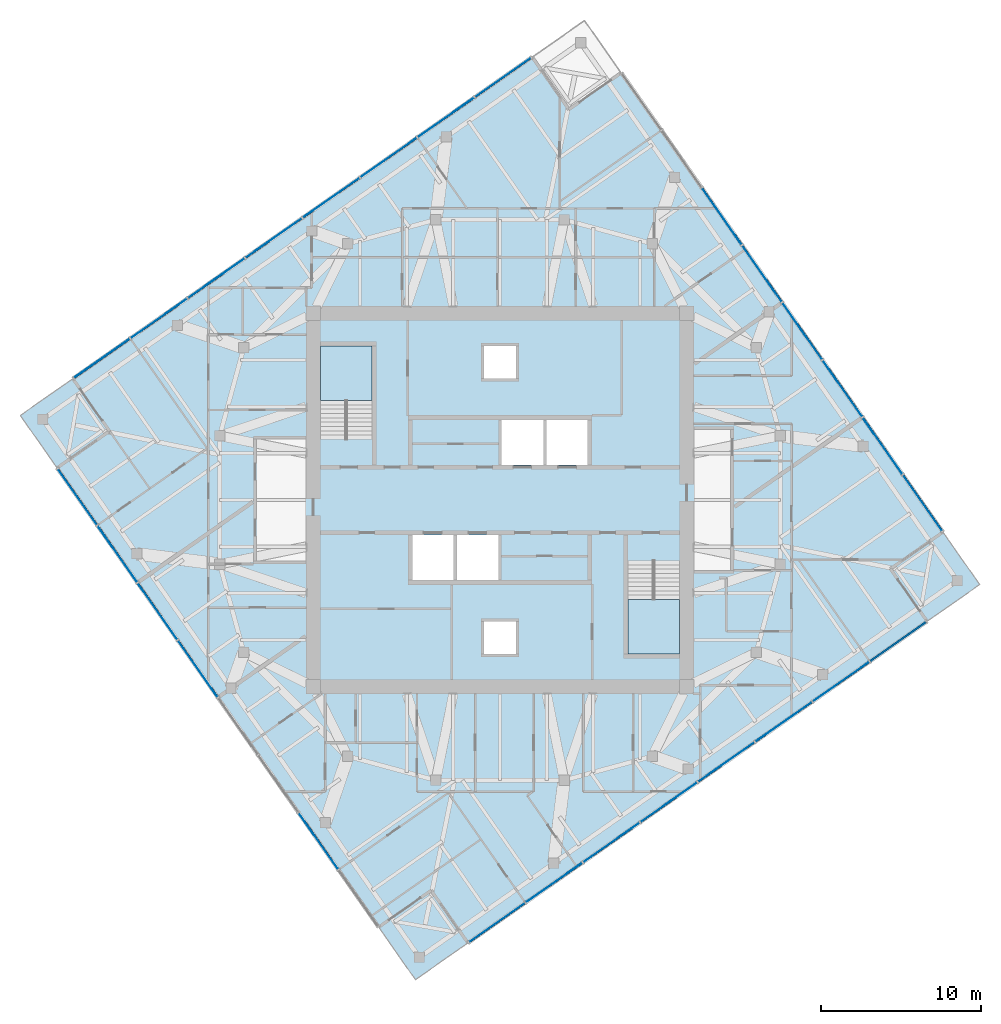
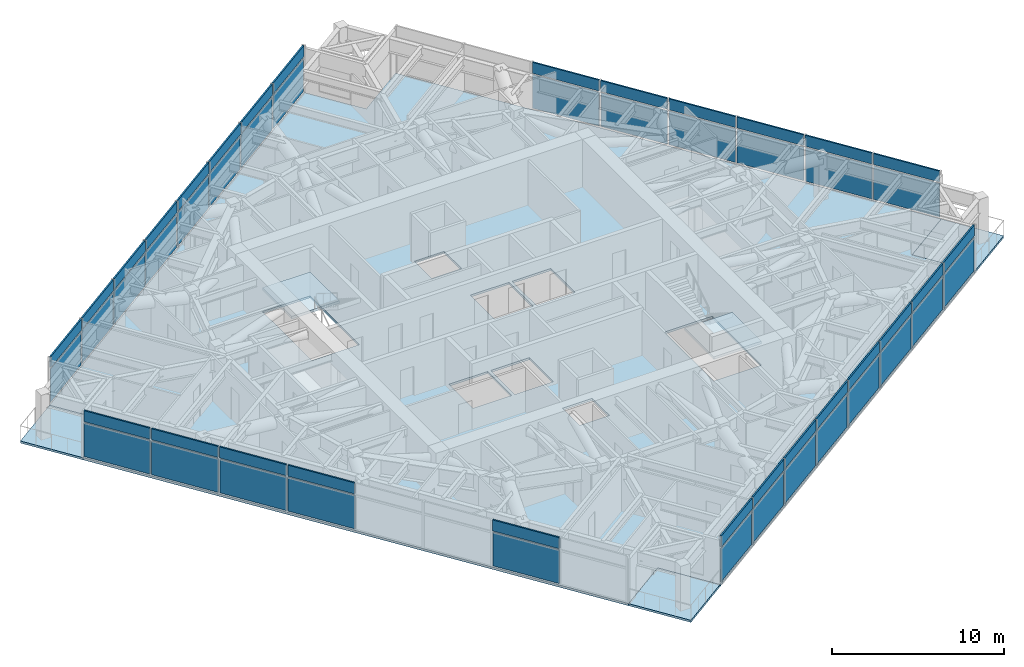
# One storey, part 8 of 15: 54 plates, 6 slabs, 6 elements without a shape of their own.
"""IFC4 building model written with IfcOpenShell, lengths in metres."""

from ifc_helpers import new_model, si_unit, direction, frame, origin, origin_2d, place, context, subcontext, project, spatial, polyline, rectangle, outline, extrude, material, layer, layer_set, type_object, element, aggregate, save


model = new_model("IFC4")

# Units and contexts
model_context = context("Model", 3, precision=1e-05, world=origin(), true_north=direction((0.0, 1.0)))
body_context = subcontext(model_context, "Body", "Model", "MODEL_VIEW")
ifc_project = project(units=[si_unit("LENGTHUNIT", "METRE"), si_unit("AREAUNIT", "SQUARE_METRE"), si_unit("VOLUMEUNIT", "CUBIC_METRE"), si_unit("PLANEANGLEUNIT", "RADIAN"), si_unit("MASSUNIT", "GRAM", prefix="KILO")], contexts=[model_context])

# Site, building, storey
site_placement = place(None, origin())
site = spatial("IfcSite", under=ifc_project, at=site_placement, CompositionType="ELEMENT")
building_placement = place(site_placement, origin())
building = spatial("IfcBuilding", under=site, at=building_placement, Name="Torsade Residences", CompositionType="ELEMENT")
storey_placement = place(building_placement, frame((0.0, 0.0, 264.199951171875)))
storey = spatial("IfcBuildingStorey", under=building, at=storey_placement, Name="L73", CompositionType="ELEMENT", Elevation=264.199951171875)

# Slab
ifc_material_1 = material(Name="Concrete 40 MPa", Category="concrete")
ifc_layer_1 = layer(ifc_material_1, 0.14990234375)
ifc_layer_set_1 = layer_set([ifc_layer_1], Name="Concrete 40 MPa")
slab_type_1 = type_object("IfcSlabType", Name="COMPOSITE FLOOR SLAB 150", PredefinedType="FLOOR", material=ifc_layer_set_1)
slab_1_placement = place(storey_placement, frame((0.0, 0.0, -0.14990234375)))
element("IfcSlab", 1, at=slab_1_placement, inside=storey, type_object=slab_type_1, Name="Floor slab L73", PredefinedType="FLOOR", context=body_context, shape_type="SweptSolid", body=[
    extrude(outline(polyline([(37.996826171875, 2.3505859375), (66.6669921875, 22.42578125), (64.372802734375, 25.702392578125), (67.6494140625, 27.996826171875), (47.57421875, 56.6669921875), (44.297607421875, 54.372802734375), (42.003173828125, 57.6494140625), (13.3330078125, 37.57421875), (15.627197265625, 34.297607421875), (12.3505859375, 32.003173828125), (32.42578125, 3.3330078125), (35.702392578125, 5.627197265625), (37.996826171875, 2.3505859375)]), holes=[polyline([(51.199951171875, 26.1201171875), (48.0, 26.1201171875), (48.0, 20.39990234375), (51.199951171875, 20.39990234375), (51.199951171875, 26.1201171875)]), polyline([(45.5, 35.0), (42.89990234375, 35.0), (42.89990234375, 32.199951171875), (45.5, 32.199951171875), (45.5, 35.0)]), polyline([(42.699951171875, 35.0), (40.10009765625, 35.0), (40.10009765625, 32.199951171875), (42.699951171875, 32.199951171875), (42.699951171875, 35.0)]), polyline([(41.0, 22.39990234375), (39.0, 22.39990234375), (39.0, 20.39990234375), (41.0, 20.39990234375), (41.0, 22.39990234375)]), polyline([(41.0, 39.60009765625), (39.0, 39.60009765625), (39.0, 37.60009765625), (41.0, 37.60009765625), (41.0, 39.60009765625)]), polyline([(39.89990234375, 27.800048828125), (37.300048828125, 27.800048828125), (37.300048828125, 25.0), (39.89990234375, 25.0), (39.89990234375, 27.800048828125)]), polyline([(37.10009765625, 27.800048828125), (34.5, 27.800048828125), (34.5, 25.0), (37.10009765625, 25.0), (37.10009765625, 27.800048828125)]), polyline([(32.0, 39.60009765625), (28.800048828125, 39.60009765625), (28.800048828125, 33.8798828125), (32.0, 33.8798828125), (32.0, 39.60009765625)])]), origin(), (0.0, 0.0, 1.0), 0.14990234375),
])

# Curtain wall, plates
ifc_material_2 = material(Name="Aluminium and glass", Category="aluminium")
curtain_wall_type = type_object("IfcCurtainWallType", Name="FRITTED GLASS CURTAIN WALL HIGH ZONE", PredefinedType="NOTDEFINED", material=ifc_material_2)
curtain_wall_1_placement = place(storey_placement, origin())
curtain_wall_1 = element("IfcCurtainWall", 2, at=curtain_wall_1_placement, inside=storey, type_object=curtain_wall_type, Name="Curtain wall L73 face 1", PredefinedType="NOTDEFINED")
ifc_material_3 = material(Name="Laminated glass", Category="glass")
ifc_layer_2 = layer(ifc_material_3, 0.031982421875)
ifc_layer_set_2 = layer_set([ifc_layer_2], Name="Laminated glass")
plate_type_1 = type_object("IfcPlateType", Name="FRITTED GLASS PANEL", PredefinedType="CURTAIN_PANEL", material=ifc_layer_set_2)
plate_1_placement = place(storey_placement, frame((39.80908203125, 3.61962890625, 0.1201171875), z_axis=(0.0, 0.0, 1.0), x_axis=(0.819152029353, 0.573576457682, 0.0)))
plate_1 = element("IfcPlate", 3, at=plate_1_placement, type_object=plate_type_1, Name="Panel 1", PredefinedType="CURTAIN_PANEL", context=body_context, shape_type="SweptSolid", body=[
    extrude(rectangle(XDim=4.22509765625, YDim=0.031982421875, at=origin_2d()), origin(), (0.0, 0.0, 1.0), 2.3798828125),
])
plate_2_placement = place(storey_placement, frame((46.956298828125, 8.6240234375, 0.1201171875), z_axis=(0.0, 0.0, 1.0), x_axis=(0.819152029353, 0.573576457682, 0.0)))
plate_2 = element("IfcPlate", 4, at=plate_2_placement, type_object=plate_type_1, Name="Panel 3", PredefinedType="CURTAIN_PANEL", context=body_context, shape_type="SweptSolid", body=[
    extrude(rectangle(XDim=4.27490234375, YDim=0.031982421875, at=origin_2d()), origin(), (0.0, 0.0, 1.0), 2.3798828125),
])
plate_3_placement = place(storey_placement, frame((50.5400390625, 11.133544921875, 0.1201171875), z_axis=(0.0, 0.0, 1.0), x_axis=(0.819152029353, 0.573576457682, 0.0)))
plate_3 = element("IfcPlate", 5, at=plate_3_placement, type_object=plate_type_1, Name="Panel 4", PredefinedType="CURTAIN_PANEL", context=body_context, shape_type="SweptSolid", body=[
    extrude(rectangle(XDim=4.27490234375, YDim=0.031982421875, at=origin_2d()), origin(), (0.0, 0.0, 1.0), 2.3798828125),
])
plate_4_placement = place(storey_placement, frame((54.123779296875, 13.642822265625, 0.1201171875), z_axis=(0.0, 0.0, 1.0), x_axis=(0.819152029353, 0.573576457682, 0.0)))
plate_4 = element("IfcPlate", 6, at=plate_4_placement, type_object=plate_type_1, Name="Panel 5", PredefinedType="CURTAIN_PANEL", context=body_context, shape_type="SweptSolid", body=[
    extrude(rectangle(XDim=4.27490234375, YDim=0.031982421875, at=origin_2d()), origin(), (0.0, 0.0, 1.0), 2.3798828125),
])
plate_5_placement = place(storey_placement, frame((61.291259765625, 18.66162109375, 0.1201171875), z_axis=(0.0, 0.0, 1.0), x_axis=(0.819152029353, 0.573576457682, 0.0)))
plate_5 = element("IfcPlate", 7, at=plate_5_placement, type_object=plate_type_1, Name="Panel 7", PredefinedType="CURTAIN_PANEL", context=body_context, shape_type="SweptSolid", body=[
    extrude(rectangle(XDim=4.27490234375, YDim=0.031982421875, at=origin_2d()), origin(), (0.0, 0.0, 1.0), 2.3798828125),
])
plate_6_placement = place(storey_placement, frame((64.854736328125, 21.15673828125, 0.1201171875), z_axis=(0.0, 0.0, 1.0), x_axis=(0.819152029353, 0.573576457682, 0.0)))
plate_6 = element("IfcPlate", 8, at=plate_6_placement, type_object=plate_type_1, Name="Panel 8", PredefinedType="CURTAIN_PANEL", context=body_context, shape_type="SweptSolid", body=[
    extrude(rectangle(XDim=4.22509765625, YDim=0.031982421875, at=origin_2d()), origin(), (0.0, 0.0, 1.0), 2.3798828125),
])

curtain_wall_2_placement = place(storey_placement, origin())
curtain_wall_2 = element("IfcCurtainWall", 9, at=curtain_wall_2_placement, inside=storey, type_object=curtain_wall_type, Name="Curtain wall L73 face 4", PredefinedType="NOTDEFINED")
plate_7_placement = place(storey_placement, frame((66.38037109375, 29.80908203125, 0.1201171875), z_axis=(0.0, 0.0, 1.0), x_axis=(-0.573576457682, 0.819152029353, 0.0)))
plate_7 = element("IfcPlate", 10, at=plate_7_placement, type_object=plate_type_1, Name="Panel 1", PredefinedType="CURTAIN_PANEL", context=body_context, shape_type="SweptSolid", body=[
    extrude(rectangle(XDim=4.22509765625, YDim=0.031982421875, at=origin_2d()), origin(), (0.0, 0.0, 1.0), 2.3798828125),
])
plate_8_placement = place(storey_placement, frame((61.3759765625, 36.956298828125, 0.1201171875), z_axis=(0.0, 0.0, 1.0), x_axis=(-0.573576457682, 0.819152029353, 0.0)))
plate_8 = element("IfcPlate", 11, at=plate_8_placement, type_object=plate_type_1, Name="Panel 3", PredefinedType="CURTAIN_PANEL", context=body_context, shape_type="SweptSolid", body=[
    extrude(rectangle(XDim=4.27490234375, YDim=0.031982421875, at=origin_2d()), origin(), (0.0, 0.0, 1.0), 2.3798828125),
])
plate_9_placement = place(storey_placement, frame((58.866455078125, 40.5400390625, 0.1201171875), z_axis=(0.0, 0.0, 1.0), x_axis=(-0.573576457682, 0.819152029353, 0.0)))
plate_9 = element("IfcPlate", 12, at=plate_9_placement, type_object=plate_type_1, Name="Panel 4", PredefinedType="CURTAIN_PANEL", context=body_context, shape_type="SweptSolid", body=[
    extrude(rectangle(XDim=4.27490234375, YDim=0.031982421875, at=origin_2d()), origin(), (0.0, 0.0, 1.0), 2.3798828125),
])
plate_10_placement = place(storey_placement, frame((56.357177734375, 44.123779296875, 0.1201171875), z_axis=(0.0, 0.0, 1.0), x_axis=(-0.573576457682, 0.819152029353, 0.0)))
plate_10 = element("IfcPlate", 13, at=plate_10_placement, type_object=plate_type_1, Name="Panel 5", PredefinedType="CURTAIN_PANEL", context=body_context, shape_type="SweptSolid", body=[
    extrude(rectangle(XDim=4.27490234375, YDim=0.031982421875, at=origin_2d()), origin(), (0.0, 0.0, 1.0), 2.3798828125),
])

curtain_wall_3_placement = place(storey_placement, origin())
curtain_wall_3 = element("IfcCurtainWall", 14, at=curtain_wall_3_placement, inside=storey, type_object=curtain_wall_type, Name="Curtain wall L73 face 7", PredefinedType="NOTDEFINED")
plate_11_placement = place(storey_placement, frame((40.19091796875, 56.38037109375, 0.1201171875), z_axis=(0.0, 0.0, 1.0), x_axis=(-0.819152029353, -0.573576457682, 0.0)))
plate_11 = element("IfcPlate", 15, at=plate_11_placement, type_object=plate_type_1, Name="Panel 1", PredefinedType="CURTAIN_PANEL", context=body_context, shape_type="SweptSolid", body=[
    extrude(rectangle(XDim=4.22509765625, YDim=0.031982421875, at=origin_2d()), origin(), (0.0, 0.0, 1.0), 2.3798828125),
])
plate_12_placement = place(storey_placement, frame((33.043701171875, 51.3759765625, 0.1201171875), z_axis=(0.0, 0.0, 1.0), x_axis=(-0.819152029353, -0.573576457682, 0.0)))
plate_12 = element("IfcPlate", 16, at=plate_12_placement, type_object=plate_type_1, Name="Panel 3", PredefinedType="CURTAIN_PANEL", context=body_context, shape_type="SweptSolid", body=[
    extrude(rectangle(XDim=4.27490234375, YDim=0.031982421875, at=origin_2d()), origin(), (0.0, 0.0, 1.0), 2.3798828125),
])
plate_13_placement = place(storey_placement, frame((29.4599609375, 48.866455078125, 0.1201171875), z_axis=(0.0, 0.0, 1.0), x_axis=(-0.819152029353, -0.573576457682, 0.0)))
plate_13 = element("IfcPlate", 17, at=plate_13_placement, type_object=plate_type_1, Name="Panel 4", PredefinedType="CURTAIN_PANEL", context=body_context, shape_type="SweptSolid", body=[
    extrude(rectangle(XDim=4.27490234375, YDim=0.031982421875, at=origin_2d()), origin(), (0.0, 0.0, 1.0), 2.3798828125),
])
plate_14_placement = place(storey_placement, frame((25.876220703125, 46.357177734375, 0.1201171875), z_axis=(0.0, 0.0, 1.0), x_axis=(-0.819152029353, -0.573576457682, 0.0)))
plate_14 = element("IfcPlate", 18, at=plate_14_placement, type_object=plate_type_1, Name="Panel 5", PredefinedType="CURTAIN_PANEL", context=body_context, shape_type="SweptSolid", body=[
    extrude(rectangle(XDim=4.27490234375, YDim=0.031982421875, at=origin_2d()), origin(), (0.0, 0.0, 1.0), 2.3798828125),
])
plate_15_placement = place(storey_placement, frame((18.708740234375, 41.33837890625, 0.1201171875), z_axis=(0.0, 0.0, 1.0), x_axis=(-0.819152029353, -0.573576457682, 0.0)))
plate_15 = element("IfcPlate", 19, at=plate_15_placement, type_object=plate_type_1, Name="Panel 7", PredefinedType="CURTAIN_PANEL", context=body_context, shape_type="SweptSolid", body=[
    extrude(rectangle(XDim=4.27490234375, YDim=0.031982421875, at=origin_2d()), origin(), (0.0, 0.0, 1.0), 2.3798828125),
])
plate_16_placement = place(storey_placement, frame((15.145263671875, 38.84326171875, 0.1201171875), z_axis=(0.0, 0.0, 1.0), x_axis=(-0.819152029353, -0.573576457682, 0.0)))
plate_16 = element("IfcPlate", 20, at=plate_16_placement, type_object=plate_type_1, Name="Panel 8", PredefinedType="CURTAIN_PANEL", context=body_context, shape_type="SweptSolid", body=[
    extrude(rectangle(XDim=4.22509765625, YDim=0.031982421875, at=origin_2d()), origin(), (0.0, 0.0, 1.0), 2.3798828125),
])

curtain_wall_4_placement = place(storey_placement, origin())
curtain_wall_4 = element("IfcCurtainWall", 21, at=curtain_wall_4_placement, inside=storey, type_object=curtain_wall_type, Name="Curtain wall L73 face 10", PredefinedType="NOTDEFINED")
plate_17_placement = place(storey_placement, frame((13.61962890625, 30.19091796875, 0.1201171875), z_axis=(0.0, 0.0, 1.0), x_axis=(0.573576457682, -0.819152029353, 0.0)))
plate_17 = element("IfcPlate", 22, at=plate_17_placement, type_object=plate_type_1, Name="Panel 1", PredefinedType="CURTAIN_PANEL", context=body_context, shape_type="SweptSolid", body=[
    extrude(rectangle(XDim=4.22509765625, YDim=0.031982421875, at=origin_2d()), origin(), (0.0, 0.0, 1.0), 2.3798828125),
])
plate_18_placement = place(storey_placement, frame((18.6240234375, 23.043701171875, 0.1201171875), z_axis=(0.0, 0.0, 1.0), x_axis=(0.573576457682, -0.819152029353, 0.0)))
plate_18 = element("IfcPlate", 23, at=plate_18_placement, type_object=plate_type_1, Name="Panel 3", PredefinedType="CURTAIN_PANEL", context=body_context, shape_type="SweptSolid", body=[
    extrude(rectangle(XDim=4.27490234375, YDim=0.031982421875, at=origin_2d()), origin(), (0.0, 0.0, 1.0), 2.3798828125),
])
plate_19_placement = place(storey_placement, frame((21.133544921875, 19.4599609375, 0.1201171875), z_axis=(0.0, 0.0, 1.0), x_axis=(0.573576457682, -0.819152029353, 0.0)))
plate_19 = element("IfcPlate", 24, at=plate_19_placement, type_object=plate_type_1, Name="Panel 4", PredefinedType="CURTAIN_PANEL", context=body_context, shape_type="SweptSolid", body=[
    extrude(rectangle(XDim=4.27490234375, YDim=0.031982421875, at=origin_2d()), origin(), (0.0, 0.0, 1.0), 2.3798828125),
])
plate_20_placement = place(storey_placement, frame((28.66162109375, 8.708740234375, 0.1201171875), z_axis=(0.0, 0.0, 1.0), x_axis=(0.573576457682, -0.819152029353, 0.0)))
plate_20 = element("IfcPlate", 25, at=plate_20_placement, type_object=plate_type_1, Name="Panel 7", PredefinedType="CURTAIN_PANEL", context=body_context, shape_type="SweptSolid", body=[
    extrude(rectangle(XDim=4.27490234375, YDim=0.031982421875, at=origin_2d()), origin(), (0.0, 0.0, 1.0), 2.3798828125),
])

# Plate
ifc_material_4 = material(Name="Aluminium composite spandrel panel", Category="aluminium")
ifc_layer_3 = layer(ifc_material_4, 0.10009765625)
ifc_layer_set_3 = layer_set([ifc_layer_3], Name="Aluminium composite spandrel panel")
plate_type_2 = type_object("IfcPlateType", Name="OPAQUE SPANDREL PANEL", PredefinedType="CURTAIN_PANEL", material=ifc_layer_set_3)
plate_21_placement = place(storey_placement, frame((39.80908203125, 3.61962890625, 2.6201171875), z_axis=(0.0, 0.0, 1.0), x_axis=(0.819152029353, 0.573576457682, 0.0)))
plate_21 = element("IfcPlate", 26, at=plate_21_placement, type_object=plate_type_2, Name="Spandrel panel 1", PredefinedType="CURTAIN_PANEL", context=body_context, shape_type="SweptSolid", body=[
    extrude(rectangle(XDim=4.22509765625, YDim=0.10009765625, at=origin_2d()), origin(), (0.0, 0.0, 1.0), 0.780029296875),
])

plate_22_placement = place(storey_placement, frame((43.372314453125, 6.11474609375, 2.6201171875), z_axis=(0.0, 0.0, 1.0), x_axis=(0.819152029353, 0.573576457682, 0.0)))
plate_22 = element("IfcPlate", 27, at=plate_22_placement, type_object=plate_type_2, Name="Spandrel panel 2", PredefinedType="CURTAIN_PANEL", context=body_context, shape_type="SweptSolid", body=[
    extrude(rectangle(XDim=4.27490234375, YDim=0.10009765625, at=origin_2d()), origin(), (0.0, 0.0, 1.0), 0.780029296875),
])

plate_23_placement = place(storey_placement, frame((46.956298828125, 8.6240234375, 2.6201171875), z_axis=(0.0, 0.0, 1.0), x_axis=(0.819152029353, 0.573576457682, 0.0)))
plate_23 = element("IfcPlate", 28, at=plate_23_placement, type_object=plate_type_2, Name="Spandrel panel 3", PredefinedType="CURTAIN_PANEL", context=body_context, shape_type="SweptSolid", body=[
    extrude(rectangle(XDim=4.27490234375, YDim=0.10009765625, at=origin_2d()), origin(), (0.0, 0.0, 1.0), 0.780029296875),
])

plate_24_placement = place(storey_placement, frame((50.5400390625, 11.133544921875, 2.6201171875), z_axis=(0.0, 0.0, 1.0), x_axis=(0.819152029353, 0.573576457682, 0.0)))
plate_24 = element("IfcPlate", 29, at=plate_24_placement, type_object=plate_type_2, Name="Spandrel panel 4", PredefinedType="CURTAIN_PANEL", context=body_context, shape_type="SweptSolid", body=[
    extrude(rectangle(XDim=4.27490234375, YDim=0.10009765625, at=origin_2d()), origin(), (0.0, 0.0, 1.0), 0.780029296875),
])

plate_25_placement = place(storey_placement, frame((54.123779296875, 13.642822265625, 2.6201171875), z_axis=(0.0, 0.0, 1.0), x_axis=(0.819152029353, 0.573576457682, 0.0)))
plate_25 = element("IfcPlate", 30, at=plate_25_placement, type_object=plate_type_2, Name="Spandrel panel 5", PredefinedType="CURTAIN_PANEL", context=body_context, shape_type="SweptSolid", body=[
    extrude(rectangle(XDim=4.27490234375, YDim=0.10009765625, at=origin_2d()), origin(), (0.0, 0.0, 1.0), 0.780029296875),
])

plate_26_placement = place(storey_placement, frame((57.70751953125, 16.15234375, 2.6201171875), z_axis=(0.0, 0.0, 1.0), x_axis=(0.819152029353, 0.573576457682, 0.0)))
plate_26 = element("IfcPlate", 31, at=plate_26_placement, type_object=plate_type_2, Name="Spandrel panel 6", PredefinedType="CURTAIN_PANEL", context=body_context, shape_type="SweptSolid", body=[
    extrude(rectangle(XDim=4.27490234375, YDim=0.10009765625, at=origin_2d()), origin(), (0.0, 0.0, 1.0), 0.780029296875),
])

plate_27_placement = place(storey_placement, frame((61.291259765625, 18.66162109375, 2.6201171875), z_axis=(0.0, 0.0, 1.0), x_axis=(0.819152029353, 0.573576457682, 0.0)))
plate_27 = element("IfcPlate", 32, at=plate_27_placement, type_object=plate_type_2, Name="Spandrel panel 7", PredefinedType="CURTAIN_PANEL", context=body_context, shape_type="SweptSolid", body=[
    extrude(rectangle(XDim=4.27490234375, YDim=0.10009765625, at=origin_2d()), origin(), (0.0, 0.0, 1.0), 0.780029296875),
])

plate_28_placement = place(storey_placement, frame((64.854736328125, 21.15673828125, 2.6201171875), z_axis=(0.0, 0.0, 1.0), x_axis=(0.819152029353, 0.573576457682, 0.0)))
plate_28 = element("IfcPlate", 33, at=plate_28_placement, type_object=plate_type_2, Name="Spandrel panel 8", PredefinedType="CURTAIN_PANEL", context=body_context, shape_type="SweptSolid", body=[
    extrude(rectangle(XDim=4.22509765625, YDim=0.10009765625, at=origin_2d()), origin(), (0.0, 0.0, 1.0), 0.780029296875),
])

plate_29_placement = place(storey_placement, frame((66.38037109375, 29.80908203125, 2.6201171875), z_axis=(0.0, 0.0, 1.0), x_axis=(-0.573576457682, 0.819152029353, 0.0)))
plate_29 = element("IfcPlate", 34, at=plate_29_placement, type_object=plate_type_2, Name="Spandrel panel 1", PredefinedType="CURTAIN_PANEL", context=body_context, shape_type="SweptSolid", body=[
    extrude(rectangle(XDim=4.22509765625, YDim=0.10009765625, at=origin_2d()), origin(), (0.0, 0.0, 1.0), 0.780029296875),
])

plate_30_placement = place(storey_placement, frame((63.88525390625, 33.372314453125, 2.6201171875), z_axis=(0.0, 0.0, 1.0), x_axis=(-0.573576457682, 0.819152029353, 0.0)))
plate_30 = element("IfcPlate", 35, at=plate_30_placement, type_object=plate_type_2, Name="Spandrel panel 2", PredefinedType="CURTAIN_PANEL", context=body_context, shape_type="SweptSolid", body=[
    extrude(rectangle(XDim=4.27490234375, YDim=0.10009765625, at=origin_2d()), origin(), (0.0, 0.0, 1.0), 0.780029296875),
])

plate_31_placement = place(storey_placement, frame((61.3759765625, 36.956298828125, 2.6201171875), z_axis=(0.0, 0.0, 1.0), x_axis=(-0.573576457682, 0.819152029353, 0.0)))
plate_31 = element("IfcPlate", 36, at=plate_31_placement, type_object=plate_type_2, Name="Spandrel panel 3", PredefinedType="CURTAIN_PANEL", context=body_context, shape_type="SweptSolid", body=[
    extrude(rectangle(XDim=4.27490234375, YDim=0.10009765625, at=origin_2d()), origin(), (0.0, 0.0, 1.0), 0.780029296875),
])

plate_32_placement = place(storey_placement, frame((58.866455078125, 40.5400390625, 2.6201171875), z_axis=(0.0, 0.0, 1.0), x_axis=(-0.573576457682, 0.819152029353, 0.0)))
plate_32 = element("IfcPlate", 37, at=plate_32_placement, type_object=plate_type_2, Name="Spandrel panel 4", PredefinedType="CURTAIN_PANEL", context=body_context, shape_type="SweptSolid", body=[
    extrude(rectangle(XDim=4.27490234375, YDim=0.10009765625, at=origin_2d()), origin(), (0.0, 0.0, 1.0), 0.780029296875),
])

plate_33_placement = place(storey_placement, frame((56.357177734375, 44.123779296875, 2.6201171875), z_axis=(0.0, 0.0, 1.0), x_axis=(-0.573576457682, 0.819152029353, 0.0)))
plate_33 = element("IfcPlate", 38, at=plate_33_placement, type_object=plate_type_2, Name="Spandrel panel 5", PredefinedType="CURTAIN_PANEL", context=body_context, shape_type="SweptSolid", body=[
    extrude(rectangle(XDim=4.27490234375, YDim=0.10009765625, at=origin_2d()), origin(), (0.0, 0.0, 1.0), 0.780029296875),
])

plate_34_placement = place(storey_placement, frame((53.84765625, 47.70751953125, 2.6201171875), z_axis=(0.0, 0.0, 1.0), x_axis=(-0.573576457682, 0.819152029353, 0.0)))
plate_34 = element("IfcPlate", 39, at=plate_34_placement, type_object=plate_type_2, Name="Spandrel panel 6", PredefinedType="CURTAIN_PANEL", context=body_context, shape_type="SweptSolid", body=[
    extrude(rectangle(XDim=4.27490234375, YDim=0.10009765625, at=origin_2d()), origin(), (0.0, 0.0, 1.0), 0.780029296875),
])

plate_35_placement = place(storey_placement, frame((40.19091796875, 56.38037109375, 2.6201171875), z_axis=(0.0, 0.0, 1.0), x_axis=(-0.819152029353, -0.573576457682, 0.0)))
plate_35 = element("IfcPlate", 40, at=plate_35_placement, type_object=plate_type_2, Name="Spandrel panel 1", PredefinedType="CURTAIN_PANEL", context=body_context, shape_type="SweptSolid", body=[
    extrude(rectangle(XDim=4.22509765625, YDim=0.10009765625, at=origin_2d()), origin(), (0.0, 0.0, 1.0), 0.780029296875),
])

plate_36_placement = place(storey_placement, frame((36.627685546875, 53.88525390625, 2.6201171875), z_axis=(0.0, 0.0, 1.0), x_axis=(-0.819152029353, -0.573576457682, 0.0)))
plate_36 = element("IfcPlate", 41, at=plate_36_placement, type_object=plate_type_2, Name="Spandrel panel 2", PredefinedType="CURTAIN_PANEL", context=body_context, shape_type="SweptSolid", body=[
    extrude(rectangle(XDim=4.27490234375, YDim=0.10009765625, at=origin_2d()), origin(), (0.0, 0.0, 1.0), 0.780029296875),
])

plate_37_placement = place(storey_placement, frame((33.043701171875, 51.3759765625, 2.6201171875), z_axis=(0.0, 0.0, 1.0), x_axis=(-0.819152029353, -0.573576457682, 0.0)))
plate_37 = element("IfcPlate", 42, at=plate_37_placement, type_object=plate_type_2, Name="Spandrel panel 3", PredefinedType="CURTAIN_PANEL", context=body_context, shape_type="SweptSolid", body=[
    extrude(rectangle(XDim=4.27490234375, YDim=0.10009765625, at=origin_2d()), origin(), (0.0, 0.0, 1.0), 0.780029296875),
])

plate_38_placement = place(storey_placement, frame((29.4599609375, 48.866455078125, 2.6201171875), z_axis=(0.0, 0.0, 1.0), x_axis=(-0.819152029353, -0.573576457682, 0.0)))
plate_38 = element("IfcPlate", 43, at=plate_38_placement, type_object=plate_type_2, Name="Spandrel panel 4", PredefinedType="CURTAIN_PANEL", context=body_context, shape_type="SweptSolid", body=[
    extrude(rectangle(XDim=4.27490234375, YDim=0.10009765625, at=origin_2d()), origin(), (0.0, 0.0, 1.0), 0.780029296875),
])

plate_39_placement = place(storey_placement, frame((25.876220703125, 46.357177734375, 2.6201171875), z_axis=(0.0, 0.0, 1.0), x_axis=(-0.819152029353, -0.573576457682, 0.0)))
plate_39 = element("IfcPlate", 44, at=plate_39_placement, type_object=plate_type_2, Name="Spandrel panel 5", PredefinedType="CURTAIN_PANEL", context=body_context, shape_type="SweptSolid", body=[
    extrude(rectangle(XDim=4.27490234375, YDim=0.10009765625, at=origin_2d()), origin(), (0.0, 0.0, 1.0), 0.780029296875),
])

plate_40_placement = place(storey_placement, frame((22.29248046875, 43.84765625, 2.6201171875), z_axis=(0.0, 0.0, 1.0), x_axis=(-0.819152029353, -0.573576457682, 0.0)))
plate_40 = element("IfcPlate", 45, at=plate_40_placement, type_object=plate_type_2, Name="Spandrel panel 6", PredefinedType="CURTAIN_PANEL", context=body_context, shape_type="SweptSolid", body=[
    extrude(rectangle(XDim=4.27490234375, YDim=0.10009765625, at=origin_2d()), origin(), (0.0, 0.0, 1.0), 0.780029296875),
])

plate_41_placement = place(storey_placement, frame((18.708740234375, 41.33837890625, 2.6201171875), z_axis=(0.0, 0.0, 1.0), x_axis=(-0.819152029353, -0.573576457682, 0.0)))
plate_41 = element("IfcPlate", 46, at=plate_41_placement, type_object=plate_type_2, Name="Spandrel panel 7", PredefinedType="CURTAIN_PANEL", context=body_context, shape_type="SweptSolid", body=[
    extrude(rectangle(XDim=4.27490234375, YDim=0.10009765625, at=origin_2d()), origin(), (0.0, 0.0, 1.0), 0.780029296875),
])

plate_42_placement = place(storey_placement, frame((15.145263671875, 38.84326171875, 2.6201171875), z_axis=(0.0, 0.0, 1.0), x_axis=(-0.819152029353, -0.573576457682, 0.0)))
plate_42 = element("IfcPlate", 47, at=plate_42_placement, type_object=plate_type_2, Name="Spandrel panel 8", PredefinedType="CURTAIN_PANEL", context=body_context, shape_type="SweptSolid", body=[
    extrude(rectangle(XDim=4.22509765625, YDim=0.10009765625, at=origin_2d()), origin(), (0.0, 0.0, 1.0), 0.780029296875),
])

plate_43_placement = place(storey_placement, frame((13.61962890625, 30.19091796875, 2.6201171875), z_axis=(0.0, 0.0, 1.0), x_axis=(0.573576457682, -0.819152029353, 0.0)))
plate_43 = element("IfcPlate", 48, at=plate_43_placement, type_object=plate_type_2, Name="Spandrel panel 1", PredefinedType="CURTAIN_PANEL", context=body_context, shape_type="SweptSolid", body=[
    extrude(rectangle(XDim=4.22509765625, YDim=0.10009765625, at=origin_2d()), origin(), (0.0, 0.0, 1.0), 0.780029296875),
])

plate_44_placement = place(storey_placement, frame((16.11474609375, 26.627685546875, 2.6201171875), z_axis=(0.0, 0.0, 1.0), x_axis=(0.573576457682, -0.819152029353, 0.0)))
plate_44 = element("IfcPlate", 49, at=plate_44_placement, type_object=plate_type_2, Name="Spandrel panel 2", PredefinedType="CURTAIN_PANEL", context=body_context, shape_type="SweptSolid", body=[
    extrude(rectangle(XDim=4.27490234375, YDim=0.10009765625, at=origin_2d()), origin(), (0.0, 0.0, 1.0), 0.780029296875),
])

plate_45_placement = place(storey_placement, frame((18.6240234375, 23.043701171875, 2.6201171875), z_axis=(0.0, 0.0, 1.0), x_axis=(0.573576457682, -0.819152029353, 0.0)))
plate_45 = element("IfcPlate", 50, at=plate_45_placement, type_object=plate_type_2, Name="Spandrel panel 3", PredefinedType="CURTAIN_PANEL", context=body_context, shape_type="SweptSolid", body=[
    extrude(rectangle(XDim=4.27490234375, YDim=0.10009765625, at=origin_2d()), origin(), (0.0, 0.0, 1.0), 0.780029296875),
])

plate_46_placement = place(storey_placement, frame((21.133544921875, 19.4599609375, 2.6201171875), z_axis=(0.0, 0.0, 1.0), x_axis=(0.573576457682, -0.819152029353, 0.0)))
plate_46 = element("IfcPlate", 51, at=plate_46_placement, type_object=plate_type_2, Name="Spandrel panel 4", PredefinedType="CURTAIN_PANEL", context=body_context, shape_type="SweptSolid", body=[
    extrude(rectangle(XDim=4.27490234375, YDim=0.10009765625, at=origin_2d()), origin(), (0.0, 0.0, 1.0), 0.780029296875),
])

plate_47_placement = place(storey_placement, frame((28.66162109375, 8.708740234375, 2.6201171875), z_axis=(0.0, 0.0, 1.0), x_axis=(0.573576457682, -0.819152029353, 0.0)))
plate_47 = element("IfcPlate", 52, at=plate_47_placement, type_object=plate_type_2, Name="Spandrel panel 7", PredefinedType="CURTAIN_PANEL", context=body_context, shape_type="SweptSolid", body=[
    extrude(rectangle(XDim=4.27490234375, YDim=0.10009765625, at=origin_2d()), origin(), (0.0, 0.0, 1.0), 0.780029296875),
])

ifc_material_5 = material(Name="Laminated glass", Category="glass")
ifc_layer_4 = layer(ifc_material_5, 0.0400390625)
ifc_layer_set_4 = layer_set([ifc_layer_4], Name="Laminated glass")
plate_type_3 = type_object("IfcPlateType", Name="OPERABLE VENT PANEL", PredefinedType="CURTAIN_PANEL", material=ifc_layer_set_4)
plate_48_placement = place(storey_placement, frame((43.372314453125, 6.11474609375, 0.1201171875), z_axis=(0.0, 0.0, 1.0), x_axis=(0.819152029353, 0.573576457682, 0.0)))
plate_48 = element("IfcPlate", 53, at=plate_48_placement, type_object=plate_type_3, Name="Panel 2", PredefinedType="CURTAIN_PANEL", context=body_context, shape_type="SweptSolid", body=[
    extrude(rectangle(XDim=4.27490234375, YDim=0.0400390625, at=origin_2d()), origin(), (0.0, 0.0, 1.0), 2.3798828125),
])

plate_49_placement = place(storey_placement, frame((57.70751953125, 16.15234375, 0.1201171875), z_axis=(0.0, 0.0, 1.0), x_axis=(0.819152029353, 0.573576457682, 0.0)))
plate_49 = element("IfcPlate", 54, at=plate_49_placement, type_object=plate_type_3, Name="Panel 6", PredefinedType="CURTAIN_PANEL", context=body_context, shape_type="SweptSolid", body=[
    extrude(rectangle(XDim=4.27490234375, YDim=0.0400390625, at=origin_2d()), origin(), (0.0, 0.0, 1.0), 2.3798828125),
])

aggregate(curtain_wall_1, [plate_1, plate_21, plate_48, plate_22, plate_2, plate_23, plate_3, plate_24, plate_4, plate_25, plate_49, plate_26, plate_5, plate_27, plate_6, plate_28])

plate_50_placement = place(storey_placement, frame((63.88525390625, 33.372314453125, 0.1201171875), z_axis=(0.0, 0.0, 1.0), x_axis=(-0.573576457682, 0.819152029353, 0.0)))
plate_50 = element("IfcPlate", 55, at=plate_50_placement, type_object=plate_type_3, Name="Panel 2", PredefinedType="CURTAIN_PANEL", context=body_context, shape_type="SweptSolid", body=[
    extrude(rectangle(XDim=4.27490234375, YDim=0.0400390625, at=origin_2d()), origin(), (0.0, 0.0, 1.0), 2.3798828125),
])

plate_51_placement = place(storey_placement, frame((53.84765625, 47.70751953125, 0.1201171875), z_axis=(0.0, 0.0, 1.0), x_axis=(-0.573576457682, 0.819152029353, 0.0)))
plate_51 = element("IfcPlate", 56, at=plate_51_placement, type_object=plate_type_3, Name="Panel 6", PredefinedType="CURTAIN_PANEL", context=body_context, shape_type="SweptSolid", body=[
    extrude(rectangle(XDim=4.27490234375, YDim=0.0400390625, at=origin_2d()), origin(), (0.0, 0.0, 1.0), 2.3798828125),
])

aggregate(curtain_wall_2, [plate_7, plate_29, plate_50, plate_30, plate_8, plate_31, plate_9, plate_32, plate_10, plate_33, plate_51, plate_34])

plate_52_placement = place(storey_placement, frame((36.627685546875, 53.88525390625, 0.1201171875), z_axis=(0.0, 0.0, 1.0), x_axis=(-0.819152029353, -0.573576457682, 0.0)))
plate_52 = element("IfcPlate", 57, at=plate_52_placement, type_object=plate_type_3, Name="Panel 2", PredefinedType="CURTAIN_PANEL", context=body_context, shape_type="SweptSolid", body=[
    extrude(rectangle(XDim=4.27490234375, YDim=0.0400390625, at=origin_2d()), origin(), (0.0, 0.0, 1.0), 2.3798828125),
])

plate_53_placement = place(storey_placement, frame((22.29248046875, 43.84765625, 0.1201171875), z_axis=(0.0, 0.0, 1.0), x_axis=(-0.819152029353, -0.573576457682, 0.0)))
plate_53 = element("IfcPlate", 58, at=plate_53_placement, type_object=plate_type_3, Name="Panel 6", PredefinedType="CURTAIN_PANEL", context=body_context, shape_type="SweptSolid", body=[
    extrude(rectangle(XDim=4.27490234375, YDim=0.0400390625, at=origin_2d()), origin(), (0.0, 0.0, 1.0), 2.3798828125),
])

aggregate(curtain_wall_3, [plate_11, plate_35, plate_52, plate_36, plate_12, plate_37, plate_13, plate_38, plate_14, plate_39, plate_53, plate_40, plate_15, plate_41, plate_16, plate_42])

plate_54_placement = place(storey_placement, frame((16.11474609375, 26.627685546875, 0.1201171875), z_axis=(0.0, 0.0, 1.0), x_axis=(0.573576457682, -0.819152029353, 0.0)))
plate_54 = element("IfcPlate", 59, at=plate_54_placement, type_object=plate_type_3, Name="Panel 2", PredefinedType="CURTAIN_PANEL", context=body_context, shape_type="SweptSolid", body=[
    extrude(rectangle(XDim=4.27490234375, YDim=0.0400390625, at=origin_2d()), origin(), (0.0, 0.0, 1.0), 2.3798828125),
])

aggregate(curtain_wall_4, [plate_17, plate_43, plate_54, plate_44, plate_18, plate_45, plate_19, plate_46, plate_20, plate_47])

# Stair, slab
ifc_material_6 = material(Name="Precast concrete 40 MPa", Category="concrete")
stair_type = type_object("IfcStairType", Name="HALF-TURN FIRE STAIR 1500x3400", PredefinedType="HALF_TURN_STAIR", material=ifc_material_6)
stair_1_placement = place(storey_placement, origin())
stair_1 = element("IfcStair", 60, at=stair_1_placement, inside=storey, type_object=stair_type, Name="Stair ST1 L73", PredefinedType="HALF_TURN_STAIR")
ifc_material_7 = material(Name="Precast concrete 40 MPa", Category="concrete")
ifc_layer_5 = layer(ifc_material_7, 0.179931640625)
ifc_layer_set_5 = layer_set([ifc_layer_5], Name="Precast concrete 40 MPa")
slab_type_2 = type_object("IfcSlabType", Name="PRECAST STAIR LANDING 180", PredefinedType="LANDING", material=ifc_layer_set_5)
slab_2_placement = place(storey_placement, frame((0.0, 0.0, 1.52001953125)))
slab_2 = element("IfcSlab", 61, at=slab_2_placement, type_object=slab_type_2, Name="ST1 landing 1", PredefinedType="LANDING", context=body_context, shape_type="SweptSolid", body=[
    extrude(outline(polyline([(28.800048828125, 36.2099609375), (32.0, 36.2099609375), (32.0, 39.60009765625), (28.800048828125, 39.60009765625), (28.800048828125, 36.2099609375)])), origin(), (0.0, 0.0, 1.0), 0.179931640625),
])
aggregate(stair_1, [slab_2])

stair_2_placement = place(storey_placement, origin())
stair_2 = element("IfcStair", 62, at=stair_2_placement, inside=storey, type_object=stair_type, Name="Stair ST2 L73", PredefinedType="HALF_TURN_STAIR")
slab_3_placement = place(storey_placement, frame((0.0, 0.0, 1.52001953125)))
slab_3 = element("IfcSlab", 63, at=slab_3_placement, type_object=slab_type_2, Name="ST2 landing 1", PredefinedType="LANDING", context=body_context, shape_type="SweptSolid", body=[
    extrude(outline(polyline([(48.0, 20.39990234375), (51.199951171875, 20.39990234375), (51.199951171875, 23.7900390625), (48.0, 23.7900390625), (48.0, 20.39990234375)])), origin(), (0.0, 0.0, 1.0), 0.179931640625),
])
aggregate(stair_2, [slab_3])

# Slabs
ifc_material_8 = material(Name="Concrete 40 MPa", Category="concrete")
ifc_layer_6 = layer(ifc_material_8, 0.14990234375)
ifc_layer_set_6 = layer_set([ifc_layer_6], Name="Concrete 40 MPa")
slab_type_3 = type_object("IfcSlabType", Name="TERRACE SLAB 150", PredefinedType="FLOOR", material=ifc_layer_set_6)
slab_4_placement = place(storey_placement, frame((0.0, 0.0, -0.14990234375)))
element("IfcSlab", 64, at=slab_4_placement, inside=storey, type_object=slab_type_3, Name="Corner terrace slab SE L73", PredefinedType="FLOOR", context=body_context, shape_type="SweptSolid", body=[
    extrude(outline(polyline([(66.6669921875, 22.42578125), (69.943603515625, 24.72021484375), (67.6494140625, 27.996826171875), (64.372802734375, 25.702392578125), (66.6669921875, 22.42578125)])), origin(), (0.0, 0.0, 1.0), 0.14990234375),
])
slab_5_placement = place(storey_placement, frame((0.0, 0.0, -0.14990234375)))
element("IfcSlab", 65, at=slab_5_placement, inside=storey, type_object=slab_type_3, Name="Corner terrace slab NW L73", PredefinedType="FLOOR", context=body_context, shape_type="SweptSolid", body=[
    extrude(outline(polyline([(12.3505859375, 32.003173828125), (15.627197265625, 34.297607421875), (13.3330078125, 37.57421875), (10.056396484375, 35.27978515625), (12.3505859375, 32.003173828125)])), origin(), (0.0, 0.0, 1.0), 0.14990234375),
])
slab_6_placement = place(storey_placement, frame((0.0, 0.0, -0.14990234375)))
element("IfcSlab", 66, at=slab_6_placement, inside=storey, type_object=slab_type_3, Name="Corner terrace slab SW L73", PredefinedType="FLOOR", context=body_context, shape_type="SweptSolid", body=[
    extrude(outline(polyline([(34.72021484375, 0.056396484375), (37.996826171875, 2.3505859375), (35.702392578125, 5.627197265625), (32.42578125, 3.3330078125), (34.72021484375, 0.056396484375)])), origin(), (0.0, 0.0, 1.0), 0.14990234375),
])

save(model, "model.ifc")
